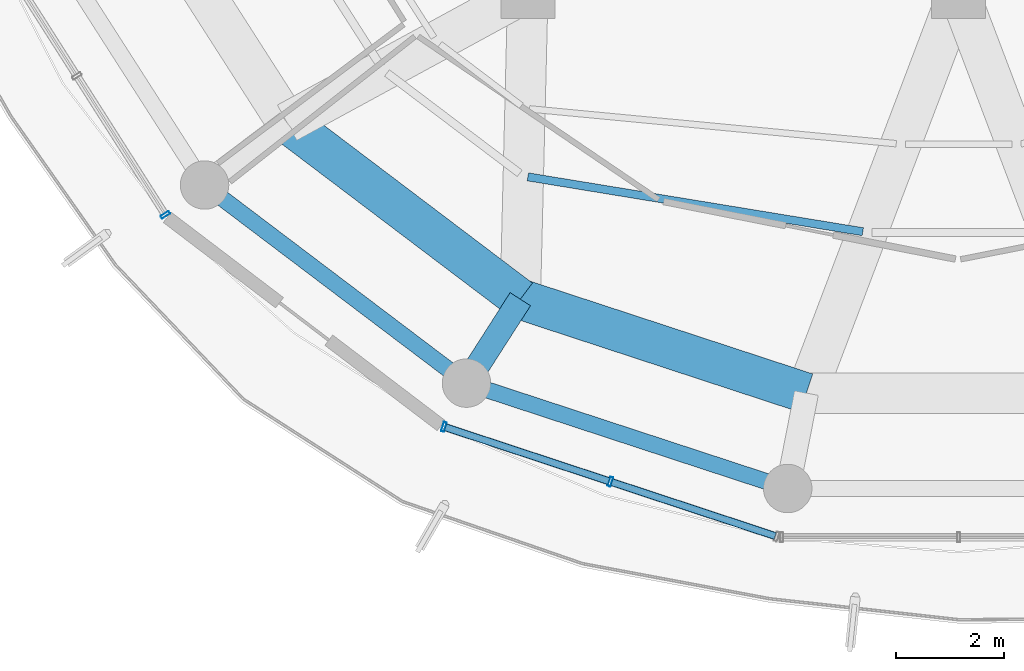
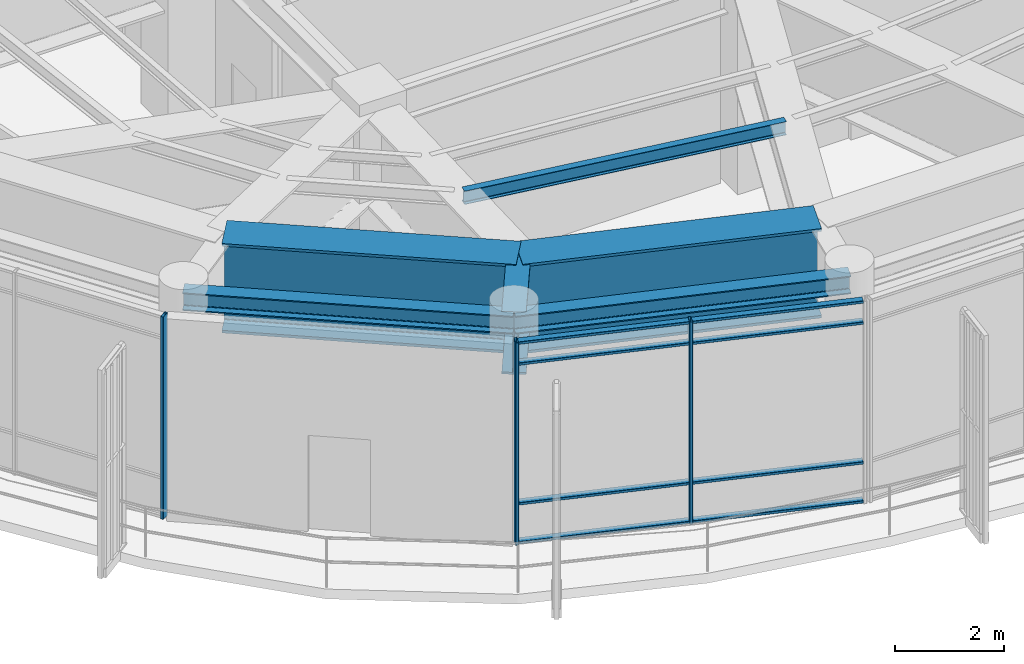
# One storey, part 2 of 23: 11 members, 6 beams, 2 elements without a shape of their own.
"""IFC4 building model written with IfcOpenShell, lengths in metres."""

from ifc_helpers import new_model, si_unit, direction, frame, origin, origin_2d, place, context, subcontext, project, spatial, hollow_rectangle, i_section, extrude, material, layer, layer_set, material_profile, profile_set, type_object, element, aggregate, save


model = new_model("IFC4")

# Units and contexts
model_context = context("Model", 3, precision=1e-05, world=origin(), true_north=direction((0.0, 1.0)))
body_context = subcontext(model_context, "Body", "Model", "MODEL_VIEW")
ifc_project = project(units=[si_unit("LENGTHUNIT", "METRE"), si_unit("AREAUNIT", "SQUARE_METRE"), si_unit("VOLUMEUNIT", "CUBIC_METRE"), si_unit("PLANEANGLEUNIT", "RADIAN"), si_unit("MASSUNIT", "GRAM", prefix="KILO")], contexts=[model_context])

# Site, building, storey
site_placement = place(None, origin())
site = spatial("IfcSite", under=ifc_project, at=site_placement, CompositionType="ELEMENT")
building_placement = place(site_placement, origin())
building = spatial("IfcBuilding", under=site, at=building_placement, Name="Kelanora Arch Commons", CompositionType="ELEMENT")
storey_placement = place(building_placement, frame((0.0, 0.0, 293.699951171875)))
storey = spatial("IfcBuildingStorey", under=building, at=storey_placement, Name="L75", CompositionType="ELEMENT", Elevation=293.699951171875)

# Beams
ifc_material_1 = material(Name="Steel S355", Category="steel")
ifc_material_profile_1 = material_profile(ifc_material_1, i_section(OverallWidth=0.14990234375, OverallDepth=0.300048828125, WebThickness=0.007080078125, FlangeThickness=0.0107421875, FilletRadius=0.014892578125, at=origin_2d()), Name="IPE300")
ifc_profile_set_1 = profile_set([ifc_material_profile_1], Name="Steel S355")
beam_type_1 = type_object("IfcBeamType", Name="BM-JST-01", PredefinedType="JOIST", material=ifc_profile_set_1)
beam_1_placement = place(storey_placement, frame((66.0, 47.558349609375, 4.39013671875), z_axis=(0.986849654094, -0.16164083709, 0.0), x_axis=(0.16164083709, 0.986849654094, 0.0)))
element("IfcBeam", 1, at=beam_1_placement, inside=storey, type_object=beam_type_1, Name="Secondary Chord Joist BJB-24 L75", PredefinedType="JOIST", context=body_context, shape_type="SweptSolid", body=[
    extrude(i_section(OverallWidth=0.14990234375, OverallDepth=0.300048828125, WebThickness=0.007080078125, FlangeThickness=0.0107421875, FilletRadius=0.014892578125, at=origin_2d()), origin(), (0.0, 0.0, 1.0), 6.302734375),
])
ifc_material_profile_2 = material_profile(ifc_material_1, i_section(OverallWidth=0.449951171875, OverallDepth=1.39990234375, WebThickness=0.028076171875, FlangeThickness=0.044921875, FilletRadius=0.02392578125, at=origin_2d()), Name="PG1400x450")
ifc_profile_set_2 = profile_set([ifc_material_profile_2], Name="Steel S355")
beam_type_2 = type_object("IfcBeamType", Name="BM-MAST-GRIL", PredefinedType="USERDEFINED", material=ifc_profile_set_2)
beam_2_placement = place(storey_placement, frame((65.860107421875, 45.28662109375, 3.820068359375), z_axis=(-0.539951170106, -0.841696343048, 0.0), x_axis=(0.841696343048, -0.539951170106, 0.0)))
element("IfcBeam", 2, at=beam_2_placement, inside=storey, type_object=beam_type_2, Name="Radial Floor Girder BR-24 L75", ObjectType="TRANSFER_GIRDER", PredefinedType="USERDEFINED", context=body_context, shape_type="SweptSolid", body=[
    extrude(i_section(OverallWidth=0.449951171875, OverallDepth=1.39990234375, WebThickness=0.028076171875, FlangeThickness=0.044921875, FilletRadius=0.02392578125, at=origin_2d()), origin(), (0.0, 0.0, 1.0), 1.85205078125),
])
ifc_material_profile_3 = material_profile(ifc_material_1, i_section(OverallWidth=0.300048828125, OverallDepth=0.39990234375, WebThickness=0.013427734375, FlangeThickness=0.02392578125, FilletRadius=0.027099609375, at=origin_2d()), Name="HEB400")
ifc_profile_set_3 = profile_set([ifc_material_profile_3], Name="Steel S355")
beam_type_3 = type_object("IfcBeamType", Name="BM-SPN-Z4", PredefinedType="SPANDREL", material=ifc_profile_set_3)
beam_3_placement = place(storey_placement, frame((59.99658203125, 47.406982421875, 4.320068359375), z_axis=(0.797509460967, -0.603306439273, 0.0), x_axis=(0.603306439273, 0.797509460967, 0.0)))
element("IfcBeam", 3, at=beam_3_placement, inside=storey, type_object=beam_type_3, Name="Perimeter Spandrel Beam BS-22 L75", PredefinedType="SPANDREL", context=body_context, shape_type="SweptSolid", body=[
    extrude(i_section(OverallWidth=0.300048828125, OverallDepth=0.39990234375, WebThickness=0.013427734375, FlangeThickness=0.02392578125, FilletRadius=0.027099609375, at=origin_2d()), origin(), (0.0, 0.0, 1.0), 6.098388671875),
])
beam_4_placement = place(storey_placement, frame((64.860107421875, 43.727783203125, 4.320068359375), z_axis=(0.950165923039, -0.311744636996, 0.0), x_axis=(0.311744636996, 0.950165923039, 0.0)))
element("IfcBeam", 4, at=beam_4_placement, inside=storey, type_object=beam_type_3, Name="Perimeter Spandrel Beam BS-24 L75", PredefinedType="SPANDREL", context=body_context, shape_type="SweptSolid", body=[
    extrude(i_section(OverallWidth=0.300048828125, OverallDepth=0.39990234375, WebThickness=0.013427734375, FlangeThickness=0.02392578125, FilletRadius=0.027099609375, at=origin_2d()), origin(), (0.0, 0.0, 1.0), 6.278564453125),
])
ifc_material_profile_4 = material_profile(ifc_material_1, i_section(OverallWidth=0.75, OverallDepth=2.0, WebThickness=0.034912109375, FlangeThickness=0.06005859375, FilletRadius=0.028076171875, at=origin_2d()), Name="PG2000x750")
ifc_profile_set_4 = profile_set([ifc_material_profile_4], Name="Steel S355")
beam_type_4 = type_object("IfcBeamType", Name="BM-XFER-SET", PredefinedType="USERDEFINED", material=ifc_profile_set_4)
beam_5_placement = place(storey_placement, frame((61.52880859375, 48.56396484375, 3.5400390625), z_axis=(0.797441458309, -0.603396321309, 0.0), x_axis=(0.603396321309, 0.797441458309, 0.0)))
element("IfcBeam", 5, at=beam_5_placement, inside=storey, type_object=beam_type_4, Name="Setback Inner Transfer Ring BSI-22 L75", ObjectType="TRANSFER_GIRDER", PredefinedType="USERDEFINED", context=body_context, shape_type="SweptSolid", body=[
    extrude(i_section(OverallWidth=0.75, OverallDepth=2.0, WebThickness=0.034912109375, FlangeThickness=0.06005859375, FilletRadius=0.028076171875, at=origin_2d()), origin(), (0.0, 0.0, 1.0), 5.431396484375),
])
beam_6_placement = place(storey_placement, frame((65.860107421875, 45.28662109375, 3.5400390625), z_axis=(0.950140083071, -0.311823383572, 0.0), x_axis=(0.311823383572, 0.950140083071, 0.0)))
element("IfcBeam", 6, at=beam_6_placement, inside=storey, type_object=beam_type_4, Name="Setback Inner Transfer Ring BSI-24 L75", ObjectType="TRANSFER_GIRDER", PredefinedType="USERDEFINED", context=body_context, shape_type="SweptSolid", body=[
    extrude(i_section(OverallWidth=0.75, OverallDepth=2.0, WebThickness=0.034912109375, FlangeThickness=0.06005859375, FilletRadius=0.028076171875, at=origin_2d()), origin(), (0.0, 0.0, 1.0), 5.591796875),
])

# Curtain wall, member
ifc_material_2 = material(Name="Terracotta ceramic-fritted low-E glass and aluminium", Category="masonry")
ifc_layer = layer(ifc_material_2, 0.22509765625)
ifc_layer_set = layer_set([ifc_layer], Name="Terracotta ceramic-fritted low-E glass and aluminium")
curtain_wall_type = type_object("IfcCurtainWallType", Name="CW-SYS-05", PredefinedType="NOTDEFINED", material=ifc_layer_set)
curtain_wall_1_placement = place(storey_placement, origin())
curtain_wall_1 = element("IfcCurtainWall", 7, at=curtain_wall_1_placement, inside=storey, type_object=curtain_wall_type, Name="Unitised Curtain Wall L75-B10", PredefinedType="NOTDEFINED")
ifc_material_3 = material(Name="Powder-coated aluminium terracotta", Category="masonry")
ifc_material_profile_5 = material_profile(ifc_material_3, hollow_rectangle(XDim=0.179931640625, YDim=0.06005859375, WallThickness=0.0048828125, InnerFilletRadius=0.0048828125, OuterFilletRadius=0.010009765625, at=origin_2d()), Name="CWM180x60")
ifc_profile_set_5 = profile_set([ifc_material_profile_5], Name="Powder-coated aluminium terracotta")
member_type_1 = type_object("IfcMemberType", Name="CWM-HVY", PredefinedType="MULLION", material=ifc_profile_set_5)
member_1_placement = place(storey_placement, frame((59.267578125, 46.853515625, 0.0), z_axis=(0.0, 0.0, 1.0), x_axis=(0.843391314545, 0.537299814397, 0.0)))
member_1 = element("IfcMember", 8, at=member_1_placement, type_object=member_type_1, Name="CW-05 mullion 3", PredefinedType="MULLION", context=body_context, shape_type="SweptSolid", body=[
    extrude(hollow_rectangle(XDim=0.179931640625, YDim=0.06005859375, WallThickness=0.0048828125, InnerFilletRadius=0.0048828125, OuterFilletRadius=0.010009765625, at=origin_2d()), origin(), (0.0, 0.0, 1.0), 4.525146484375),
])
aggregate(curtain_wall_1, [member_1])

# Curtain wall, members
curtain_wall_2_placement = place(storey_placement, origin())
curtain_wall_2 = element("IfcCurtainWall", 9, at=curtain_wall_2_placement, inside=storey, type_object=curtain_wall_type, Name="Unitised Curtain Wall L75-B12", PredefinedType="NOTDEFINED")
member_2_placement = place(storey_placement, frame((64.442626953125, 42.9169921875, 0.0), z_axis=(0.0, 0.0, 1.0), x_axis=(0.313252785344, 0.949669780752, 0.0)))
member_2 = element("IfcMember", 10, at=member_2_placement, type_object=member_type_1, Name="CW-05 mullion 1", PredefinedType="MULLION", context=body_context, shape_type="SweptSolid", body=[
    extrude(hollow_rectangle(XDim=0.179931640625, YDim=0.06005859375, WallThickness=0.0048828125, InnerFilletRadius=0.0048828125, OuterFilletRadius=0.010009765625, at=origin_2d()), origin(), (0.0, 0.0, 1.0), 4.525146484375),
])
member_3_placement = place(storey_placement, frame((67.532958984375, 41.897705078125, 0.0), z_axis=(0.0, 0.0, 1.0), x_axis=(0.313252785344, 0.949669780752, 0.0)))
member_3 = element("IfcMember", 11, at=member_3_placement, type_object=member_type_1, Name="CW-05 mullion 2", PredefinedType="MULLION", context=body_context, shape_type="SweptSolid", body=[
    extrude(hollow_rectangle(XDim=0.179931640625, YDim=0.06005859375, WallThickness=0.0048828125, InnerFilletRadius=0.0048828125, OuterFilletRadius=0.010009765625, at=origin_2d()), origin(), (0.0, 0.0, 1.0), 4.525146484375),
])
ifc_material_profile_6 = material_profile(ifc_material_3, hollow_rectangle(XDim=0.139892578125, YDim=0.06005859375, WallThickness=0.0048828125, InnerFilletRadius=0.0048828125, OuterFilletRadius=0.010009765625, at=origin_2d()), Name="CWT140x60")
ifc_profile_set_6 = profile_set([ifc_material_profile_6], Name="Powder-coated aluminium terracotta")
member_type_2 = type_object("IfcMemberType", Name="CWT-HVY", PredefinedType="USERDEFINED", material=ifc_profile_set_6)
member_4_placement = place(storey_placement, frame((64.47119140625, 42.90771484375, 0.030029296875), z_axis=(0.949672315102, -0.313245102003, 0.0), x_axis=(0.313245102003, 0.949672315102, 0.0)))
member_4 = element("IfcMember", 12, at=member_4_placement, type_object=member_type_2, Name="CW-05 transom 1.1", ObjectType="TRANSOM", PredefinedType="USERDEFINED", context=body_context, shape_type="SweptSolid", body=[
    extrude(hollow_rectangle(XDim=0.139892578125, YDim=0.06005859375, WallThickness=0.0048828125, InnerFilletRadius=0.0048828125, OuterFilletRadius=0.010009765625, at=origin_2d()), origin(), (0.0, 0.0, 1.0), 3.19384765625),
])
member_5_placement = place(storey_placement, frame((64.47119140625, 42.90771484375, 0.900146484375), z_axis=(0.949672315102, -0.313245102003, 0.0), x_axis=(0.313245102003, 0.949672315102, 0.0)))
member_5 = element("IfcMember", 13, at=member_5_placement, type_object=member_type_2, Name="CW-05 transom 1.2", ObjectType="TRANSOM", PredefinedType="USERDEFINED", context=body_context, shape_type="SweptSolid", body=[
    extrude(hollow_rectangle(XDim=0.139892578125, YDim=0.06005859375, WallThickness=0.0048828125, InnerFilletRadius=0.0048828125, OuterFilletRadius=0.010009765625, at=origin_2d()), origin(), (0.0, 0.0, 1.0), 3.19384765625),
])
member_6_placement = place(storey_placement, frame((64.47119140625, 42.90771484375, 4.025146484375), z_axis=(0.949672315102, -0.313245102003, 0.0), x_axis=(0.313245102003, 0.949672315102, 0.0)))
member_6 = element("IfcMember", 14, at=member_6_placement, type_object=member_type_2, Name="CW-05 transom 1.3", ObjectType="TRANSOM", PredefinedType="USERDEFINED", context=body_context, shape_type="SweptSolid", body=[
    extrude(hollow_rectangle(XDim=0.139892578125, YDim=0.06005859375, WallThickness=0.0048828125, InnerFilletRadius=0.0048828125, OuterFilletRadius=0.010009765625, at=origin_2d()), origin(), (0.0, 0.0, 1.0), 3.19384765625),
])
member_7_placement = place(storey_placement, frame((64.47119140625, 42.90771484375, 4.4951171875), z_axis=(0.949672315102, -0.313245102003, 0.0), x_axis=(0.313245102003, 0.949672315102, 0.0)))
member_7 = element("IfcMember", 15, at=member_7_placement, type_object=member_type_2, Name="CW-05 transom 1.4", ObjectType="TRANSOM", PredefinedType="USERDEFINED", context=body_context, shape_type="SweptSolid", body=[
    extrude(hollow_rectangle(XDim=0.139892578125, YDim=0.06005859375, WallThickness=0.0048828125, InnerFilletRadius=0.0048828125, OuterFilletRadius=0.010009765625, at=origin_2d()), origin(), (0.0, 0.0, 1.0), 3.19384765625),
])
member_8_placement = place(storey_placement, frame((67.5615234375, 41.888427734375, 0.030029296875), z_axis=(0.949649574195, -0.313314037719, 0.0), x_axis=(0.313314037719, 0.949649574195, 0.0)))
member_8 = element("IfcMember", 16, at=member_8_placement, type_object=member_type_2, Name="CW-05 transom 2.1", ObjectType="TRANSOM", PredefinedType="USERDEFINED", context=body_context, shape_type="SweptSolid", body=[
    extrude(hollow_rectangle(XDim=0.139892578125, YDim=0.06005859375, WallThickness=0.0048828125, InnerFilletRadius=0.0048828125, OuterFilletRadius=0.010009765625, at=origin_2d()), origin(), (0.0, 0.0, 1.0), 3.194091796875),
])
member_9_placement = place(storey_placement, frame((67.5615234375, 41.888427734375, 0.900146484375), z_axis=(0.949649574195, -0.313314037719, 0.0), x_axis=(0.313314037719, 0.949649574195, 0.0)))
member_9 = element("IfcMember", 17, at=member_9_placement, type_object=member_type_2, Name="CW-05 transom 2.2", ObjectType="TRANSOM", PredefinedType="USERDEFINED", context=body_context, shape_type="SweptSolid", body=[
    extrude(hollow_rectangle(XDim=0.139892578125, YDim=0.06005859375, WallThickness=0.0048828125, InnerFilletRadius=0.0048828125, OuterFilletRadius=0.010009765625, at=origin_2d()), origin(), (0.0, 0.0, 1.0), 3.194091796875),
])
member_10_placement = place(storey_placement, frame((67.5615234375, 41.888427734375, 4.025146484375), z_axis=(0.949649574195, -0.313314037719, 0.0), x_axis=(0.313314037719, 0.949649574195, 0.0)))
member_10 = element("IfcMember", 18, at=member_10_placement, type_object=member_type_2, Name="CW-05 transom 2.3", ObjectType="TRANSOM", PredefinedType="USERDEFINED", context=body_context, shape_type="SweptSolid", body=[
    extrude(hollow_rectangle(XDim=0.139892578125, YDim=0.06005859375, WallThickness=0.0048828125, InnerFilletRadius=0.0048828125, OuterFilletRadius=0.010009765625, at=origin_2d()), origin(), (0.0, 0.0, 1.0), 3.194091796875),
])
member_11_placement = place(storey_placement, frame((67.5615234375, 41.888427734375, 4.4951171875), z_axis=(0.949649574195, -0.313314037719, 0.0), x_axis=(0.313314037719, 0.949649574195, 0.0)))
member_11 = element("IfcMember", 19, at=member_11_placement, type_object=member_type_2, Name="CW-05 transom 2.4", ObjectType="TRANSOM", PredefinedType="USERDEFINED", context=body_context, shape_type="SweptSolid", body=[
    extrude(hollow_rectangle(XDim=0.139892578125, YDim=0.06005859375, WallThickness=0.0048828125, InnerFilletRadius=0.0048828125, OuterFilletRadius=0.010009765625, at=origin_2d()), origin(), (0.0, 0.0, 1.0), 3.194091796875),
])
aggregate(curtain_wall_2, [member_2, member_3, member_4, member_5, member_6, member_7, member_8, member_9, member_10, member_11])

save(model, "model.ifc")
